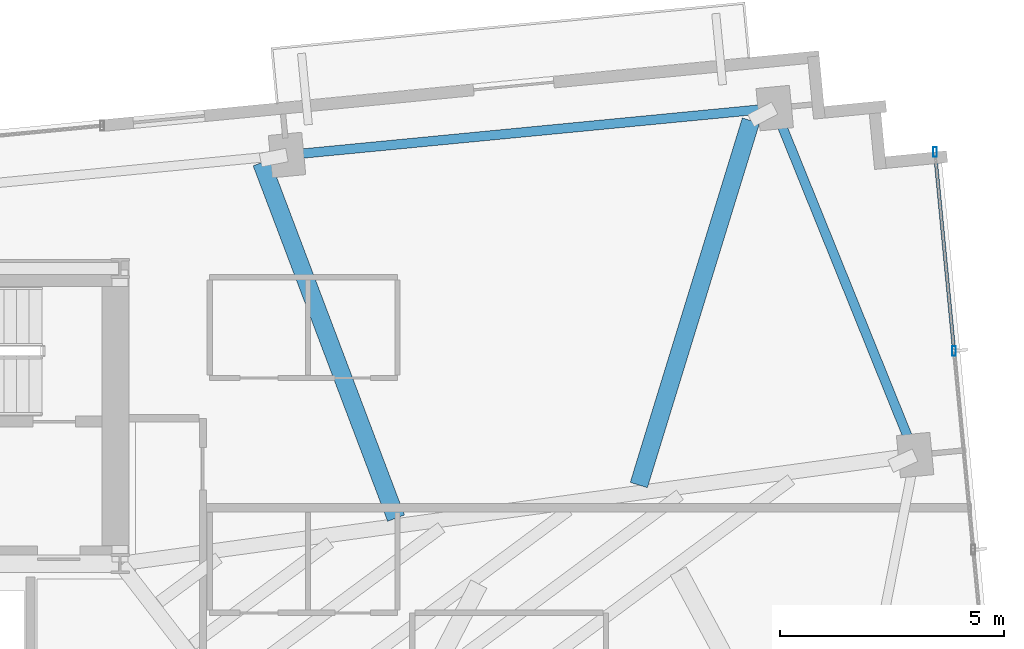
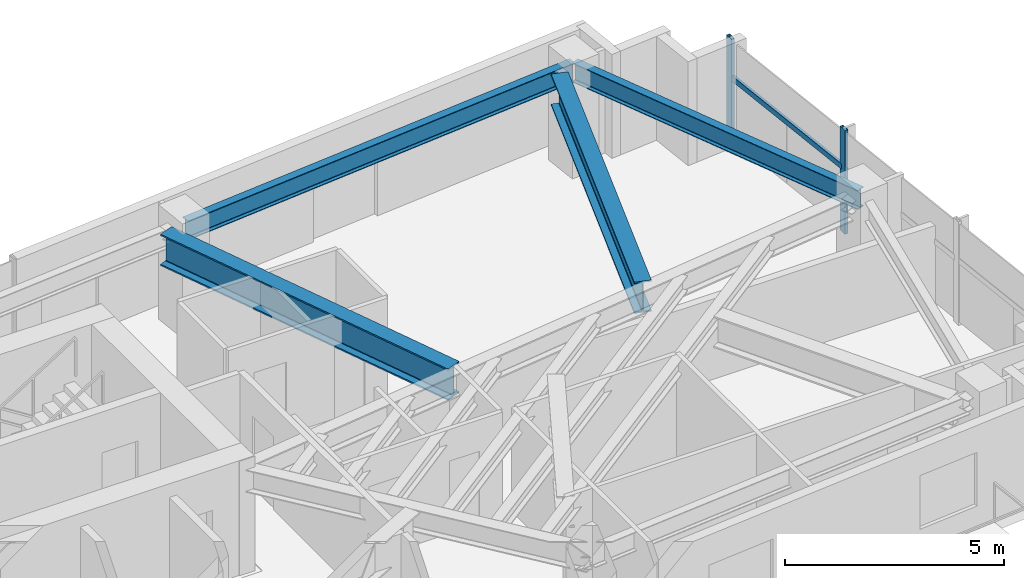
# One storey, part 11 of 18: 4 beams, 3 members, 1 element without a shape of its own.
"""IFC4 building model written with IfcOpenShell, lengths in metres."""

from ifc_helpers import new_model, si_unit, direction, frame, origin, origin_2d, place, context, subcontext, project, spatial, hollow_rectangle, i_section, extrude, source, transform, mapped, material, material_profile, profile_set, type_object, type_shapes, element, aggregate, save


model = new_model("IFC4")

# Units and contexts
model_context = context("Model", 3, precision=1e-05, world=origin(), true_north=direction((0.0, 1.0)))
body_context = subcontext(model_context, "Body", "Model", "MODEL_VIEW")
ifc_project = project(units=[si_unit("LENGTHUNIT", "METRE"), si_unit("AREAUNIT", "SQUARE_METRE"), si_unit("VOLUMEUNIT", "CUBIC_METRE"), si_unit("PLANEANGLEUNIT", "RADIAN"), si_unit("MASSUNIT", "GRAM", prefix="KILO")], contexts=[model_context])

# Site, building, storey
site_placement = place(None, origin())
site = spatial("IfcSite", under=ifc_project, at=site_placement, CompositionType="ELEMENT")
building_placement = place(site_placement, origin())
building = spatial("IfcBuilding", under=site, at=building_placement, Name="Astriad Promenade Condominiums", CompositionType="ELEMENT")
storey_placement = place(building_placement, frame((0.0, 0.0, 208.199951171875)))
storey = spatial("IfcBuildingStorey", under=building, at=storey_placement, Name="L60", CompositionType="ELEMENT", Elevation=208.199951171875)

# Beams
ifc_material_1 = material(Name="Steel ASTM A992 Grade 50", Category="steel")
ifc_material_profile_1 = material_profile(ifc_material_1, i_section(OverallWidth=0.210693359375, OverallDepth=0.53955078125, WebThickness=0.01171875, FlangeThickness=0.018798828125, FilletRadius=0.0166015625, at=origin_2d()), Name="W21X73")
ifc_profile_set_1 = profile_set([ifc_material_profile_1], Name="Steel ASTM A992 Grade 50")
beam_type_1 = type_object("IfcBeamType", Name="STEEL SPANDREL BEAM W21X73", PredefinedType="SPANDREL", material=ifc_profile_set_1)
shared_shape_1 = source(origin(), body_context, "Body", "SweptSolid", [
    extrude(i_section(OverallWidth=0.210693359375, OverallDepth=0.53955078125, WebThickness=0.01171875, FlangeThickness=0.018798828125, FilletRadius=0.0166015625, at=origin_2d()), origin(), (0.0, 0.0, 1.0), 10.8701171875),
])
beam_1_placement = place(storey_placement, frame((60.190673828125, 27.578369140625, 2.63037109375), z_axis=(-0.995394986184, -0.09585834069, 0.0), x_axis=(0.09585834069, -0.995394986184, 0.0)))
element("IfcBeam", 1, at=beam_1_placement, inside=storey, type_object=beam_type_1, Name="Perimeter Spandrel Beam SP-N4-L60", PredefinedType="SPANDREL", context=body_context, shape_type="MappedRepresentation", body=[
    mapped(shared_shape_1, transform((0.0, 0.0, 0.0), scale=1.0)),
])
shared_shape_2 = source(origin(), body_context, "Body", "SweptSolid", [
    extrude(i_section(OverallWidth=0.210693359375, OverallDepth=0.53955078125, WebThickness=0.01171875, FlangeThickness=0.018798828125, FilletRadius=0.0166015625, at=origin_2d()), origin(), (0.0, 0.0, 1.0), 8.28564453125),
])
type_shapes(beam_type_1, [shared_shape_1, shared_shape_2])
beam_2_placement = place(storey_placement, frame((63.353271484375, 19.8642578125, 2.63037109375), z_axis=(-0.375070987134, 0.926996092014, 0.0), x_axis=(-0.926996092014, -0.375070987134, 0.0)))
element("IfcBeam", 2, at=beam_2_placement, inside=storey, type_object=beam_type_1, Name="Perimeter Spandrel Beam SP-E2-L60", PredefinedType="SPANDREL", context=body_context, shape_type="MappedRepresentation", body=[
    mapped(shared_shape_2, transform((0.0, 0.0, 0.0), scale=1.0)),
])
ifc_material_profile_2 = material_profile(ifc_material_1, i_section(OverallWidth=0.4013671875, OverallDepth=0.877197265625, WebThickness=0.022216796875, FlangeThickness=0.039794921875, FilletRadius=0.02294921875, at=origin_2d()), Name="W33X263")
ifc_profile_set_2 = profile_set([ifc_material_profile_2], Name="Steel ASTM A992 Grade 50")
beam_type_2 = type_object("IfcBeamType", Name="STEEL TRANSFER CARRIER GIRDER W33X263", PredefinedType="BEAM", material=ifc_profile_set_2)
shared_shape_3 = source(origin(), body_context, "Body", "SweptSolid", [
    extrude(i_section(OverallWidth=0.4013671875, OverallDepth=0.877197265625, WebThickness=0.022216796875, FlangeThickness=0.039794921875, FilletRadius=0.02294921875, at=origin_2d()), origin(), (0.0, 0.0, 1.0), 8.49462890625),
])
beam_3_placement = place(storey_placement, frame((51.767822265625, 18.41748046875, 2.461669921875), z_axis=(-0.353887340922, 0.935288057197, 0.0), x_axis=(-0.935288057197, -0.353887340922, 0.0)))
element("IfcBeam", 3, at=beam_3_placement, inside=storey, type_object=beam_type_2, Name="Transfer Splice Carrier TRM-SP-PC09-L60", PredefinedType="BEAM", context=body_context, shape_type="MappedRepresentation", body=[
    mapped(shared_shape_3, transform((0.0, 0.0, 0.0), scale=1.0)),
])
shared_shape_4 = source(origin(), body_context, "Body", "SweptSolid", [
    extrude(i_section(OverallWidth=0.4013671875, OverallDepth=0.877197265625, WebThickness=0.022216796875, FlangeThickness=0.039794921875, FilletRadius=0.02294921875, at=origin_2d()), origin(), (0.0, 0.0, 1.0), 8.5205078125),
])
type_shapes(beam_type_2, [shared_shape_3, shared_shape_4])
beam_4_placement = place(storey_placement, frame((57.193359375, 19.157958984375, 2.461669921875), z_axis=(0.293981146975, 0.955811218402, 0.0), x_axis=(-0.955811218402, 0.293981146975, 0.0)))
element("IfcBeam", 4, at=beam_4_placement, inside=storey, type_object=beam_type_2, Name="Transfer Splice Carrier TRM-SP-PC10-L60", PredefinedType="BEAM", context=body_context, shape_type="MappedRepresentation", body=[
    mapped(shared_shape_4, transform((0.0, 0.0, 0.0), scale=1.0)),
])

# Curtain wall, members
ifc_material_2 = material(Name="Anodised aluminium Black Dark Glass Unitised", Category="aluminium")
curtain_wall_type = type_object("IfcCurtainWallType", Name="CW-B34-DARK", PredefinedType="USERDEFINED", material=ifc_material_2)
curtain_wall_placement = place(storey_placement, origin())
curtain_wall = element("IfcCurtainWall", 5, at=curtain_wall_placement, inside=storey, type_object=curtain_wall_type, Name="CW-L60-E", ObjectType="UNITISED_CURTAIN_WALL", PredefinedType="USERDEFINED")
ifc_material_3 = material(Name="Anodised aluminium 6063-T6 Black", Category="aluminium")
ifc_material_profile_3 = material_profile(ifc_material_3, hollow_rectangle(XDim=0.074951171875, YDim=0.14990234375, WallThickness=0.004150390625, at=origin_2d()), Name="ALU-TRN-75X150")
ifc_profile_set_3 = profile_set([ifc_material_profile_3], Name="Anodised aluminium 6063-T6 Black")
member_type_1 = type_object("IfcMemberType", Name="TRN-ALU-TRN-75X150", PredefinedType="USERDEFINED", material=ifc_profile_set_3)
shared_shape_5 = source(origin(), body_context, "Body", "SweptSolid", [
    extrude(hollow_rectangle(XDim=0.074951171875, YDim=0.14990234375, WallThickness=0.004150390625, at=origin_2d()), origin(), (0.0, 0.0, 1.0), 4.466552734375),
])
type_shapes(member_type_1, [shared_shape_5])
member_1_placement = place(storey_placement, frame((63.81103515625, 26.6005859375, 1.798095703125), z_axis=(0.095817598554, -0.995398908884, 0.0), x_axis=(0.995398908884, 0.095817598554, 0.0)))
member_1 = element("IfcMember", 6, at=member_1_placement, type_object=member_type_1, Name="CW-L60-E-TRN-00-0", ObjectType="TRANSOM", PredefinedType="USERDEFINED", context=body_context, shape_type="MappedRepresentation", body=[
    mapped(shared_shape_5, transform((0.0, 0.0, 0.0), scale=1.0)),
])
ifc_material_profile_4 = material_profile(ifc_material_3, hollow_rectangle(XDim=0.0849609375, YDim=0.219970703125, WallThickness=0.0048828125, at=origin_2d()), Name="ALU-MUL-85X220")
ifc_profile_set_4 = profile_set([ifc_material_profile_4], Name="Anodised aluminium 6063-T6 Black")
member_type_2 = type_object("IfcMemberType", Name="MUL-ALU-MUL-85X220", PredefinedType="MULLION", material=ifc_profile_set_4)
shared_shape_6 = source(origin(), body_context, "Body", "SweptSolid", [
    extrude(hollow_rectangle(XDim=0.0849609375, YDim=0.219970703125, WallThickness=0.0048828125, at=origin_2d()), origin(), (0.0, 0.0, 1.0), 2.900146484375),
])
type_shapes(member_type_2, [shared_shape_6])
member_2_placement = place(storey_placement, frame((63.81103515625, 26.6005859375, 0.0), z_axis=(0.0, 0.0, 1.0), x_axis=(1.0, 0.0, 0.0)))
member_2 = element("IfcMember", 7, at=member_2_placement, type_object=member_type_2, Name="CW-L60-E-MUL-00", PredefinedType="MULLION", context=body_context, shape_type="MappedRepresentation", body=[
    mapped(shared_shape_6, transform((0.0, 0.0, 0.0), scale=1.0)),
])
member_3_placement = place(storey_placement, frame((64.239013671875, 22.154541015625, 0.0), z_axis=(0.0, 0.0, 1.0), x_axis=(1.0, 0.0, 0.0)))
member_3 = element("IfcMember", 8, at=member_3_placement, type_object=member_type_2, Name="CW-L60-E-MUL-01", PredefinedType="MULLION", context=body_context, shape_type="MappedRepresentation", body=[
    mapped(shared_shape_6, transform((0.0, 0.0, 0.0), scale=1.0)),
])
aggregate(curtain_wall, [member_2, member_3, member_1])

save(model, "model.ifc")
